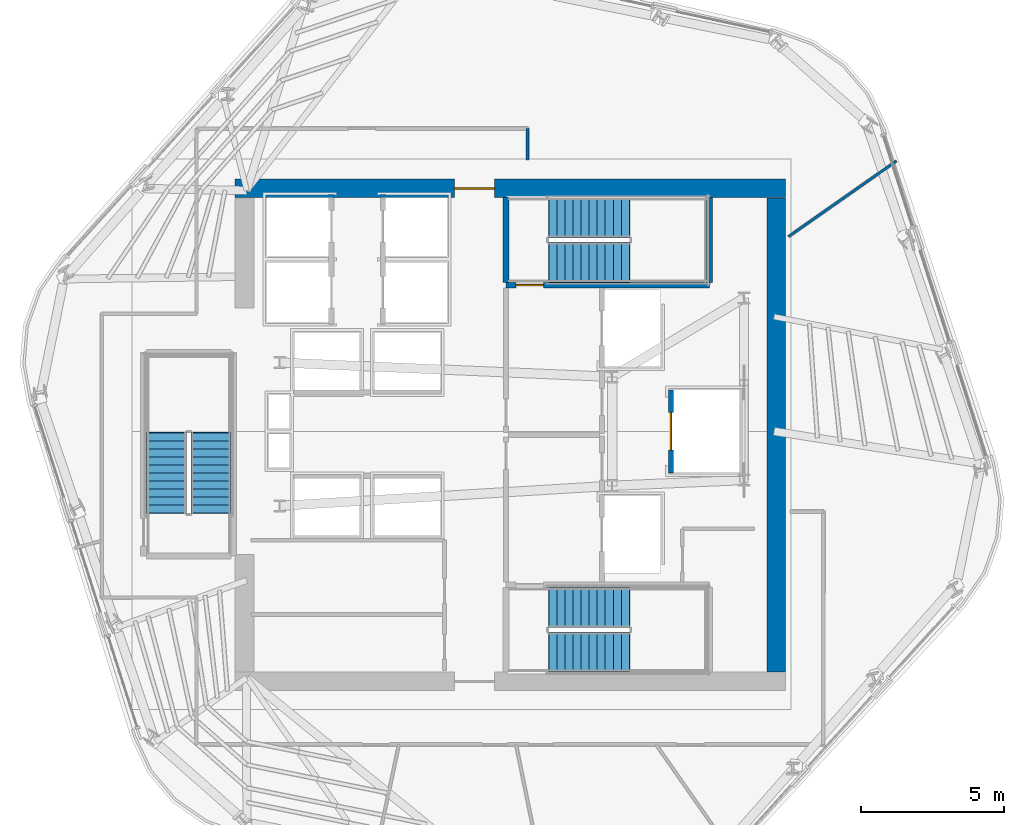
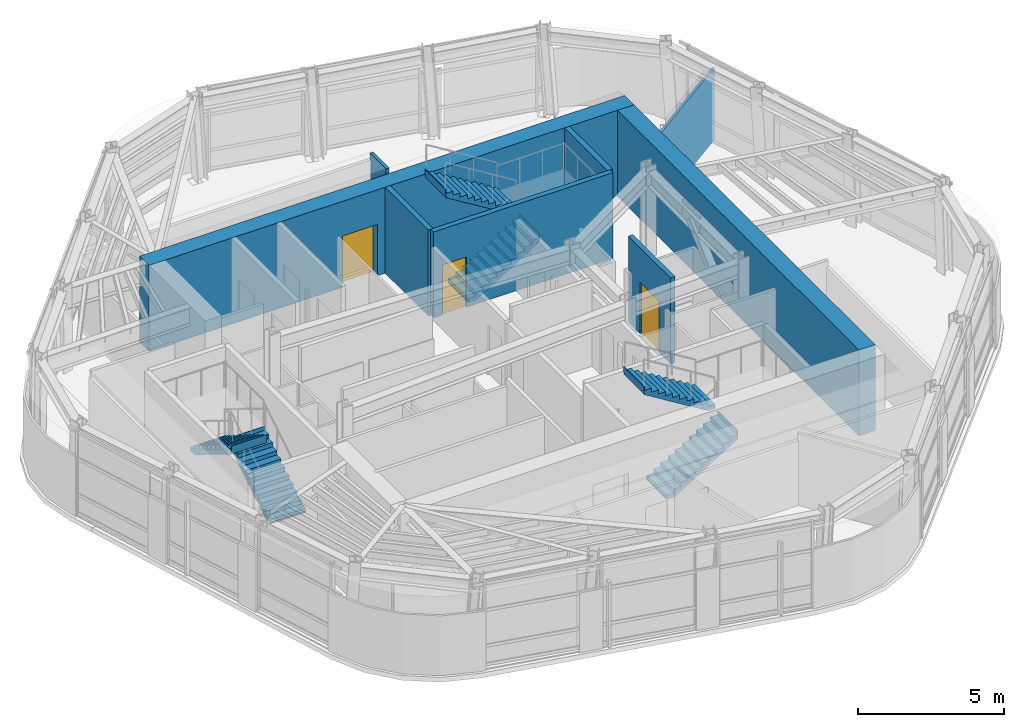
# One storey, part 8 of 13: 8 walls, 6 stair flights, 3 doors, 3 openings, 3 elements without a shape of their own.
"""IFC4 building model written with IfcOpenShell, lengths in metres."""

from ifc_helpers import new_model, si_unit, direction, frame, frame_2d, origin, place, context, subcontext, project, spatial, polyline, rectangle, outline, extrude, material, layer, layer_set, type_object, element, fill, aggregate, save


model = new_model("IFC4")

# Units and contexts
model_context = context("Model", 3, precision=1e-05, world=origin(), true_north=direction((0.0, 1.0)))
body_context = subcontext(model_context, "Body", "Model", "MODEL_VIEW")
ifc_project = project(units=[si_unit("LENGTHUNIT", "METRE"), si_unit("AREAUNIT", "SQUARE_METRE"), si_unit("VOLUMEUNIT", "CUBIC_METRE"), si_unit("PLANEANGLEUNIT", "RADIAN"), si_unit("MASSUNIT", "GRAM", prefix="KILO")], contexts=[model_context])

# Site, building, storey
site_placement = place(None, origin())
site = spatial("IfcSite", under=ifc_project, at=site_placement, CompositionType="ELEMENT")
building_placement = place(site_placement, origin())
building = spatial("IfcBuilding", under=site, at=building_placement, Name="Valkerne Bourse Tower", CompositionType="ELEMENT")
storey_placement = place(building_placement, frame((0.0, 0.0, 228.39990234375)))
storey = spatial("IfcBuildingStorey", under=building, at=storey_placement, Name="L58", CompositionType="ELEMENT", Elevation=228.39990234375)

# Wall, opening, door
ifc_material_1 = material(Name="Concrete C55/67", Category="concrete")
ifc_layer_1 = layer(ifc_material_1, 0.64990234375)
ifc_layer_set_1 = layer_set([ifc_layer_1], Name="Concrete C55/67")
wall_type_1 = type_object("IfcWallType", Name="W-CORE-650", PredefinedType="SHEAR", material=ifc_layer_set_1)
wall_1_placement = place(storey_placement, frame((37.199951171875, 35.47509765625, 0.0), z_axis=(0.0, 0.0, 1.0), x_axis=(1.0, 0.0, 0.0)))
wall_1 = element("IfcWall", 1, at=wall_1_placement, inside=storey, type_object=wall_type_1, Name="L58 Core Shear Wall NORTH", PredefinedType="SHEAR", context=body_context, shape_type="SweptSolid", body=[
    extrude(rectangle(XDim=19.199951171875, YDim=0.64990234375, at=frame_2d((9.60009765625, 0.0))), origin(), (0.0, 0.0, 1.0), 3.60009765625),
])
opening_1_placement = place(wall_1_placement, frame((7.64990234375, 0.0, 0.0)))
opening_1 = element("IfcOpeningElement", 2, at=opening_1_placement, cuts=wall_1, Name="Opening D-PL-1400", PredefinedType="OPENING", context=body_context, shape_type="SweptSolid", body=[
    extrude(rectangle(XDim=1.39990234375, YDim=2.14990234375, at=frame_2d((0.699951171875, 1.074951171875))), frame((0.0, 0.3349609375, 0.0), z_axis=(0.0, -1.0, 0.0), x_axis=(1.0, 0.0, 0.0)), (0.0, 0.0, 1.0), 0.669921875),
])
ifc_material_2 = material(Name="Galvanised Painted Steel", Category="steel")
door_type_1 = type_object("IfcDoorType", Name="DR-PLT-1400", OperationType="DOUBLE_DOOR_SINGLE_SWING", PredefinedType="DOOR", material=ifc_material_2)
door_1_placement = place(opening_1_placement, origin())
door_1 = element("IfcDoor", 3, at=door_1_placement, inside=storey, type_object=door_type_1, Name="L58 North Passenger Lift Hall Fire Door", OperationType="DOUBLE_DOOR_SINGLE_SWING", OverallHeight=2.14990234375, OverallWidth=1.39990234375, PredefinedType="DOOR", context=body_context, shape_type="SweptSolid", body=[
    extrude(rectangle(XDim=1.39990234375, YDim=2.14990234375, at=frame_2d((0.699951171875, 1.074951171875))), frame((0.0, 0.02490234375, 0.0), z_axis=(0.0, -1.0, 0.0), x_axis=(1.0, 0.0, 0.0)), (0.0, 0.0, 1.0), 0.050048828125),
])
fill(opening_1, door_1)

# Walls
wall_2_placement = place(storey_placement, frame((56.074951171875, 18.60009765625, 0.0), z_axis=(0.0, 0.0, 1.0), x_axis=(0.0, 1.0, 0.0)))
element("IfcWall", 4, at=wall_2_placement, inside=storey, type_object=wall_type_1, Name="L58 Core Shear Wall EAST", PredefinedType="SHEAR", context=body_context, shape_type="SweptSolid", body=[
    extrude(rectangle(XDim=16.5498046875, YDim=0.64990234375, at=frame_2d((8.27490234375, 0.0))), origin(), (0.0, 0.0, 1.0), 3.60009765625),
])
ifc_material_3 = material(Name="Gypsum Board Steel-Stud Partition", Category="steel")
ifc_layer_2 = layer(ifc_material_3, 0.117919921875)
ifc_layer_set_2 = layer_set([ifc_layer_2], Name="Gypsum Board Steel-Stud Partition")
wall_type_2 = type_object("IfcWallType", Name="W-CORR-140", PredefinedType="PARTITIONING", material=ifc_layer_set_2)
wall_3_placement = place(storey_placement, frame((47.39990234375, 37.56005859375, 0.0), z_axis=(0.0, 0.0, 1.0), x_axis=(0.0, -1.0, 0.0)))
element("IfcWall", 5, at=wall_3_placement, inside=storey, type_object=wall_type_2, Name="L58 Corridor Enclosure Wall", PredefinedType="PARTITIONING", context=body_context, shape_type="SweptSolid", body=[
    extrude(rectangle(XDim=1.10009765625, YDim=0.117919921875, at=frame_2d((0.550048828125, 0.0))), origin(), (0.0, 0.0, 1.0), 3.300048828125),
])

# Wall, opening, door
ifc_material_4 = material(Name="CMU Blockwork Masonry 200mm", Category="masonry")
ifc_layer_3 = layer(ifc_material_4, 0.179931640625)
ifc_layer_set_3 = layer_set([ifc_layer_3], Name="CMU Blockwork Masonry 200mm")
wall_type_3 = type_object("IfcWallType", Name="W-LFT-180", PredefinedType="SOLIDWALL", material=ifc_layer_set_3)
wall_4_placement = place(storey_placement, frame((52.39990234375, 25.550048828125, 0.0), z_axis=(0.0, 0.0, 1.0), x_axis=(0.0, 1.0, 0.0)))
wall_4 = element("IfcWall", 6, at=wall_4_placement, inside=storey, type_object=wall_type_3, Name="L58 Service Lift SV-1 Front Wall", PredefinedType="SOLIDWALL", context=body_context, shape_type="SweptSolid", body=[
    extrude(rectangle(XDim=2.89990234375, YDim=0.179931640625, at=frame_2d((1.449951171875, 0.0))), origin(), (0.0, 0.0, 1.0), 3.60009765625),
])
opening_2_placement = place(wall_4_placement, frame((0.800048828125, 0.0, 0.0)))
opening_2 = element("IfcOpeningElement", 7, at=opening_2_placement, cuts=wall_4, Name="Opening LD-1300", PredefinedType="OPENING", context=body_context, shape_type="SweptSolid", body=[
    extrude(rectangle(XDim=1.300048828125, YDim=2.14990234375, at=frame_2d((0.64990234375, 1.074951171875))), frame((0.0, 0.099853515625, 0.0), z_axis=(0.0, -1.0, 0.0), x_axis=(1.0, 0.0, 0.0)), (0.0, 0.0, 1.0), 0.199951171875),
])
ifc_material_5 = material(Name="Stainless Steel AISI 316", Category="steel")
door_type_2 = type_object("IfcDoorType", Name="DR-LIFT-1300", OperationType="DOUBLE_DOOR_SLIDING", PredefinedType="DOOR", material=ifc_material_5)
door_2_placement = place(opening_2_placement, origin())
door_2 = element("IfcDoor", 8, at=door_2_placement, inside=storey, type_object=door_type_2, Name="L58 Service Lift SV-1 Landing Door", OperationType="DOUBLE_DOOR_SLIDING", OverallHeight=2.14990234375, OverallWidth=1.300048828125, PredefinedType="DOOR", context=body_context, shape_type="SweptSolid", body=[
    extrude(rectangle(XDim=1.300048828125, YDim=2.14990234375, at=frame_2d((0.64990234375, 1.074951171875))), frame((0.0, 0.02490234375, 0.0), z_axis=(0.0, -1.0, 0.0), x_axis=(1.0, 0.0, 0.0)), (0.0, 0.0, 1.0), 0.050048828125),
])
fill(opening_2, door_2)

# Wall
ifc_layer_4 = layer(ifc_material_3, 0.092041015625)
ifc_layer_set_4 = layer_set([ifc_layer_4], Name="Gypsum Board Steel-Stud Partition")
wall_type_4 = type_object("IfcWallType", Name="W-PART-115", PredefinedType="PARTITIONING", material=ifc_layer_set_4)
wall_5_placement = place(storey_placement, frame((56.5, 33.7919921875, 0.0), z_axis=(0.0, 0.0, 1.0), x_axis=(0.819147212173, 0.573583337266, 0.0)))
element("IfcWall", 9, at=wall_5_placement, inside=storey, type_object=wall_type_4, Name="L58 Suite Partition P04", PredefinedType="PARTITIONING", context=body_context, shape_type="SweptSolid", body=[
    extrude(rectangle(XDim=4.604248046875, YDim=0.092041015625, at=frame_2d((2.30224609375, 0.0))), origin(), (0.0, 0.0, 1.0), 3.036376953125),
])

# Wall, opening, door
ifc_material_6 = material(Name="Concrete C40/50", Category="concrete")
ifc_layer_5 = layer(ifc_material_6, 0.199951171875)
ifc_layer_set_5 = layer_set([ifc_layer_5], Name="Concrete C40/50")
wall_type_5 = type_object("IfcWallType", Name="W-SHF-200", PredefinedType="SHEAR", material=ifc_layer_set_5)
wall_6_placement = place(storey_placement, frame((46.64990234375, 32.10009765625, 0.0), z_axis=(0.0, 0.0, 1.0), x_axis=(1.0, 0.0, 0.0)))
wall_6 = element("IfcWall", 10, at=wall_6_placement, inside=storey, type_object=wall_type_5, Name="L58 Exit Stair ST-2 Structural Shaft Wall South", PredefinedType="SHEAR", context=body_context, shape_type="SweptSolid", body=[
    extrude(rectangle(XDim=7.10009765625, YDim=0.199951171875, at=frame_2d((3.550048828125, 0.0))), origin(), (0.0, 0.0, 1.0), 3.60009765625),
])
opening_3_placement = place(wall_6_placement, frame((0.35009765625, 0.0, 0.0)))
opening_3 = element("IfcOpeningElement", 11, at=opening_3_placement, cuts=wall_6, Name="Opening D-ST-950", PredefinedType="OPENING", context=body_context, shape_type="SweptSolid", body=[
    extrude(rectangle(XDim=0.949951171875, YDim=2.10009765625, at=frame_2d((0.47509765625, 1.050048828125))), frame((0.0, 0.10986328125, 0.0), z_axis=(0.0, -1.0, 0.0), x_axis=(1.0, 0.0, 0.0)), (0.0, 0.0, 1.0), 0.219970703125),
])
door_type_3 = type_object("IfcDoorType", Name="DR-STAIR-950", OperationType="NOTDEFINED", PredefinedType="DOOR", material=ifc_material_2)
door_3_placement = place(opening_3_placement, origin())
door_3 = element("IfcDoor", 12, at=door_3_placement, inside=storey, type_object=door_type_3, Name="L58 Exit Stair ST-2 Door", OperationType="SINGLE_SWING_RIGHT", OverallHeight=2.10009765625, OverallWidth=0.949951171875, PredefinedType="DOOR", context=body_context, shape_type="SweptSolid", body=[
    extrude(rectangle(XDim=0.949951171875, YDim=2.10009765625, at=frame_2d((0.47509765625, 1.050048828125))), frame((0.0, 0.02490234375, 0.0), z_axis=(0.0, -1.0, 0.0), x_axis=(1.0, 0.0, 0.0)), (0.0, 0.0, 1.0), 0.050048828125),
])
fill(opening_3, door_3)

# Walls
for number, where, z_axis, x_axis, name in (
    (13, (46.64990234375, 32.199951171875, 0.0), (0.0, 0.0, 1.0), (0.0, 1.0, 0.0), "L58 Exit Stair ST-2 Structural Shaft Wall West"),
    (14, (53.75, 32.199951171875, 0.0), (0.0, 0.0, 1.0), (0.0, 1.0, 0.0), "L58 Exit Stair ST-2 Structural Shaft Wall East"),
):
    element("IfcWall", number, at=place(storey_placement, frame(where, z_axis=z_axis, x_axis=x_axis)), inside=storey, type_object=wall_type_5, Name=name, PredefinedType="SHEAR", context=body_context, shape_type="SweptSolid", body=[
        extrude(rectangle(XDim=2.949951171875, YDim=0.199951171875, at=frame_2d((1.47509765625, 0.0))), origin(), (0.0, 0.0, 1.0), 3.60009765625),
    ])

# Stair, stair flights
stair_type = type_object("IfcStairType", Name="ST-CORE-1400", PredefinedType="HALF_TURN_STAIR", material=ifc_material_6)
stair_1_placement = place(storey_placement, origin())
stair_1 = element("IfcStair", 15, at=stair_1_placement, inside=storey, type_object=stair_type, Name="L58 ST-1", PredefinedType="HALF_TURN_STAIR")
stair_flight_type = type_object("IfcStairFlightType", Name="STF-CORE-1400", PredefinedType="STRAIGHT", material=ifc_material_6)
stair_flight_1_placement = place(storey_placement, frame((48.14990234375, 19.300048828125, 0.0), z_axis=(0.0, 0.0, 1.0), x_axis=(1.0, 0.0, 0.0)))
stair_flight_1 = element("IfcStairFlight", 16, at=stair_flight_1_placement, type_object=stair_flight_type, Name="ST-1 flight 1", NumberOfRisers=11, NumberOfTreads=10, PredefinedType="STRAIGHT", RiserHeight=0.172727273, TreadLength=0.28, context=body_context, shape_type="SweptSolid", body=[
    extrude(outline(polyline([(-0.02001953125, 0.0), (-0.02001953125, 0.044921875), (0.0, 0.044921875), (0.0, 0.172607421875), (0.280029296875, 0.172607421875), (0.280029296875, 0.345458984375), (0.56005859375, 0.345458984375), (0.56005859375, 0.51806640625), (0.840087890625, 0.51806640625), (0.840087890625, 0.69091796875), (1.1201171875, 0.69091796875), (1.1201171875, 0.863525390625), (1.39990234375, 0.863525390625), (1.39990234375, 1.036376953125), (1.679931640625, 1.036376953125), (1.679931640625, 1.208984375), (1.9599609375, 1.208984375), (1.9599609375, 1.3818359375), (2.239990234375, 1.3818359375), (2.239990234375, 1.554443359375), (2.52001953125, 1.554443359375), (2.52001953125, 1.727294921875), (2.800048828125, 1.727294921875), (2.800048828125, 1.89990234375), (2.820068359375, 1.89990234375), (2.820068359375, 1.780029296875), (2.800048828125, 1.551025390625), (0.285400390625, 0.0), (-0.02001953125, 0.0)])), frame((0.0, 0.699951171875, 0.0), z_axis=(0.0, -1.0, 0.0), x_axis=(1.0, 0.0, 0.0)), (0.0, 0.0, 1.0), 1.39990234375),
])
stair_flight_2_placement = place(storey_placement, frame((50.949951171875, 20.85009765625, 1.900146484375), z_axis=(0.0, 0.0, 1.0), x_axis=(-1.0, 0.0, 0.0)))
stair_flight_2 = element("IfcStairFlight", 17, at=stair_flight_2_placement, type_object=stair_flight_type, Name="ST-1 flight 2", NumberOfRisers=11, NumberOfTreads=10, PredefinedType="STRAIGHT", RiserHeight=0.172727273, TreadLength=0.28, context=body_context, shape_type="SweptSolid", body=[
    extrude(outline(polyline([(-0.02001953125, 0.0), (-0.02001953125, 0.044921875), (0.0, 0.044921875), (0.0, 0.172607421875), (0.280029296875, 0.172607421875), (0.280029296875, 0.345458984375), (0.56005859375, 0.345458984375), (0.56005859375, 0.51806640625), (0.840087890625, 0.51806640625), (0.840087890625, 0.69091796875), (1.1201171875, 0.69091796875), (1.1201171875, 0.863525390625), (1.39990234375, 0.863525390625), (1.39990234375, 1.036376953125), (1.679931640625, 1.036376953125), (1.679931640625, 1.208984375), (1.9599609375, 1.208984375), (1.9599609375, 1.3818359375), (2.239990234375, 1.3818359375), (2.239990234375, 1.554443359375), (2.52001953125, 1.554443359375), (2.52001953125, 1.727294921875), (2.800048828125, 1.727294921875), (2.800048828125, 1.89990234375), (2.820068359375, 1.89990234375), (2.820068359375, 1.780029296875), (2.800048828125, 1.551025390625), (0.285400390625, 0.0), (-0.02001953125, 0.0)])), frame((0.0, 0.699951171875, 0.0), z_axis=(0.0, -1.0, 0.0), x_axis=(1.0, 0.0, 0.0)), (0.0, 0.0, 1.0), 1.39990234375),
])
aggregate(stair_1, [stair_flight_1, stair_flight_2])

stair_2_placement = place(storey_placement, origin())
stair_2 = element("IfcStair", 18, at=stair_2_placement, inside=storey, type_object=stair_type, Name="L58 ST-2", PredefinedType="HALF_TURN_STAIR")
stair_flight_3_placement = place(storey_placement, frame((48.14990234375, 32.89990234375, 0.0), z_axis=(0.0, 0.0, 1.0), x_axis=(1.0, 0.0, 0.0)))
stair_flight_3 = element("IfcStairFlight", 19, at=stair_flight_3_placement, type_object=stair_flight_type, Name="ST-2 flight 1", NumberOfRisers=11, NumberOfTreads=10, PredefinedType="STRAIGHT", RiserHeight=0.172727273, TreadLength=0.28, context=body_context, shape_type="SweptSolid", body=[
    extrude(outline(polyline([(-0.02001953125, 0.0), (-0.02001953125, 0.044921875), (0.0, 0.044921875), (0.0, 0.172607421875), (0.280029296875, 0.172607421875), (0.280029296875, 0.345458984375), (0.56005859375, 0.345458984375), (0.56005859375, 0.51806640625), (0.840087890625, 0.51806640625), (0.840087890625, 0.69091796875), (1.1201171875, 0.69091796875), (1.1201171875, 0.863525390625), (1.39990234375, 0.863525390625), (1.39990234375, 1.036376953125), (1.679931640625, 1.036376953125), (1.679931640625, 1.208984375), (1.9599609375, 1.208984375), (1.9599609375, 1.3818359375), (2.239990234375, 1.3818359375), (2.239990234375, 1.554443359375), (2.52001953125, 1.554443359375), (2.52001953125, 1.727294921875), (2.800048828125, 1.727294921875), (2.800048828125, 1.89990234375), (2.820068359375, 1.89990234375), (2.820068359375, 1.780029296875), (2.800048828125, 1.551025390625), (0.285400390625, 0.0), (-0.02001953125, 0.0)])), frame((0.0, 0.699951171875, 0.0), z_axis=(0.0, -1.0, 0.0), x_axis=(1.0, 0.0, 0.0)), (0.0, 0.0, 1.0), 1.39990234375),
])
stair_flight_4_placement = place(storey_placement, frame((50.949951171875, 34.449951171875, 1.900146484375), z_axis=(0.0, 0.0, 1.0), x_axis=(-1.0, 0.0, 0.0)))
stair_flight_4 = element("IfcStairFlight", 20, at=stair_flight_4_placement, type_object=stair_flight_type, Name="ST-2 flight 2", NumberOfRisers=11, NumberOfTreads=10, PredefinedType="STRAIGHT", RiserHeight=0.172727273, TreadLength=0.28, context=body_context, shape_type="SweptSolid", body=[
    extrude(outline(polyline([(-0.02001953125, 0.0), (-0.02001953125, 0.044921875), (0.0, 0.044921875), (0.0, 0.172607421875), (0.280029296875, 0.172607421875), (0.280029296875, 0.345458984375), (0.56005859375, 0.345458984375), (0.56005859375, 0.51806640625), (0.840087890625, 0.51806640625), (0.840087890625, 0.69091796875), (1.1201171875, 0.69091796875), (1.1201171875, 0.863525390625), (1.39990234375, 0.863525390625), (1.39990234375, 1.036376953125), (1.679931640625, 1.036376953125), (1.679931640625, 1.208984375), (1.9599609375, 1.208984375), (1.9599609375, 1.3818359375), (2.239990234375, 1.3818359375), (2.239990234375, 1.554443359375), (2.52001953125, 1.554443359375), (2.52001953125, 1.727294921875), (2.800048828125, 1.727294921875), (2.800048828125, 1.89990234375), (2.820068359375, 1.89990234375), (2.820068359375, 1.780029296875), (2.800048828125, 1.551025390625), (0.285400390625, 0.0), (-0.02001953125, 0.0)])), frame((0.0, 0.699951171875, 0.0), z_axis=(0.0, -1.0, 0.0), x_axis=(1.0, 0.0, 0.0)), (0.0, 0.0, 1.0), 1.39990234375),
])
aggregate(stair_2, [stair_flight_3, stair_flight_4])

stair_3_placement = place(storey_placement, origin())
stair_3 = element("IfcStair", 21, at=stair_3_placement, inside=storey, type_object=stair_type, Name="L58 ST-3", PredefinedType="HALF_TURN_STAIR")
stair_flight_5_placement = place(storey_placement, frame((36.35009765625, 24.14990234375, 0.0), z_axis=(0.0, 0.0, 1.0), x_axis=(0.0, 1.0, 0.0)))
stair_flight_5 = element("IfcStairFlight", 22, at=stair_flight_5_placement, type_object=stair_flight_type, Name="ST-3 flight 1", NumberOfRisers=11, NumberOfTreads=10, PredefinedType="STRAIGHT", RiserHeight=0.172727273, TreadLength=0.28, context=body_context, shape_type="SweptSolid", body=[
    extrude(outline(polyline([(-0.02001953125, 0.0), (-0.02001953125, 0.044921875), (0.0, 0.044921875), (0.0, 0.172607421875), (0.280029296875, 0.172607421875), (0.280029296875, 0.345458984375), (0.56005859375, 0.345458984375), (0.56005859375, 0.51806640625), (0.840087890625, 0.51806640625), (0.840087890625, 0.69091796875), (1.1201171875, 0.69091796875), (1.1201171875, 0.863525390625), (1.39990234375, 0.863525390625), (1.39990234375, 1.036376953125), (1.679931640625, 1.036376953125), (1.679931640625, 1.208984375), (1.9599609375, 1.208984375), (1.9599609375, 1.3818359375), (2.239990234375, 1.3818359375), (2.239990234375, 1.554443359375), (2.52001953125, 1.554443359375), (2.52001953125, 1.727294921875), (2.800048828125, 1.727294921875), (2.800048828125, 1.89990234375), (2.820068359375, 1.89990234375), (2.820068359375, 1.780029296875), (2.800048828125, 1.551025390625), (0.285400390625, 0.0), (-0.02001953125, 0.0)])), frame((0.0, 0.699951171875, 0.0), z_axis=(0.0, -1.0, 0.0), x_axis=(1.0, 0.0, 0.0)), (0.0, 0.0, 1.0), 1.39990234375),
])
stair_flight_6_placement = place(storey_placement, frame((34.800048828125, 26.949951171875, 1.900146484375), z_axis=(0.0, 0.0, 1.0), x_axis=(0.0, -1.0, 0.0)))
stair_flight_6 = element("IfcStairFlight", 23, at=stair_flight_6_placement, type_object=stair_flight_type, Name="ST-3 flight 2", NumberOfRisers=11, NumberOfTreads=10, PredefinedType="STRAIGHT", RiserHeight=0.172727273, TreadLength=0.28, context=body_context, shape_type="SweptSolid", body=[
    extrude(outline(polyline([(-0.02001953125, 0.0), (-0.02001953125, 0.044921875), (0.0, 0.044921875), (0.0, 0.172607421875), (0.280029296875, 0.172607421875), (0.280029296875, 0.345458984375), (0.56005859375, 0.345458984375), (0.56005859375, 0.51806640625), (0.840087890625, 0.51806640625), (0.840087890625, 0.69091796875), (1.1201171875, 0.69091796875), (1.1201171875, 0.863525390625), (1.39990234375, 0.863525390625), (1.39990234375, 1.036376953125), (1.679931640625, 1.036376953125), (1.679931640625, 1.208984375), (1.9599609375, 1.208984375), (1.9599609375, 1.3818359375), (2.239990234375, 1.3818359375), (2.239990234375, 1.554443359375), (2.52001953125, 1.554443359375), (2.52001953125, 1.727294921875), (2.800048828125, 1.727294921875), (2.800048828125, 1.89990234375), (2.820068359375, 1.89990234375), (2.820068359375, 1.780029296875), (2.800048828125, 1.551025390625), (0.285400390625, 0.0), (-0.02001953125, 0.0)])), frame((0.0, 0.699951171875, 0.0), z_axis=(0.0, -1.0, 0.0), x_axis=(1.0, 0.0, 0.0)), (0.0, 0.0, 1.0), 1.39990234375),
])
aggregate(stair_3, [stair_flight_5, stair_flight_6])

save(model, "model.ifc")
